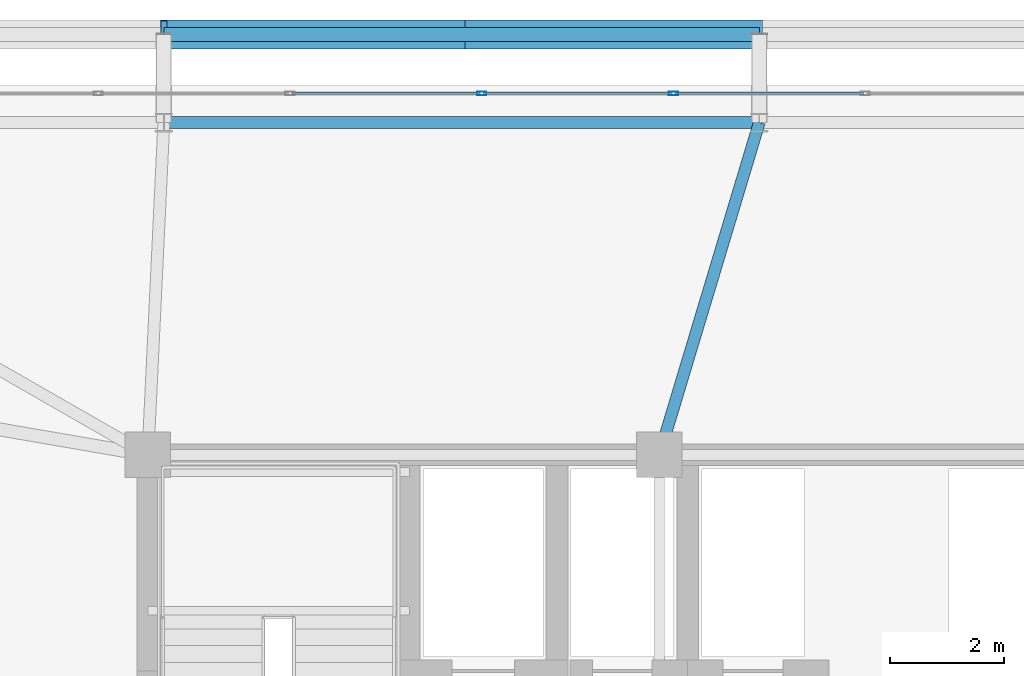
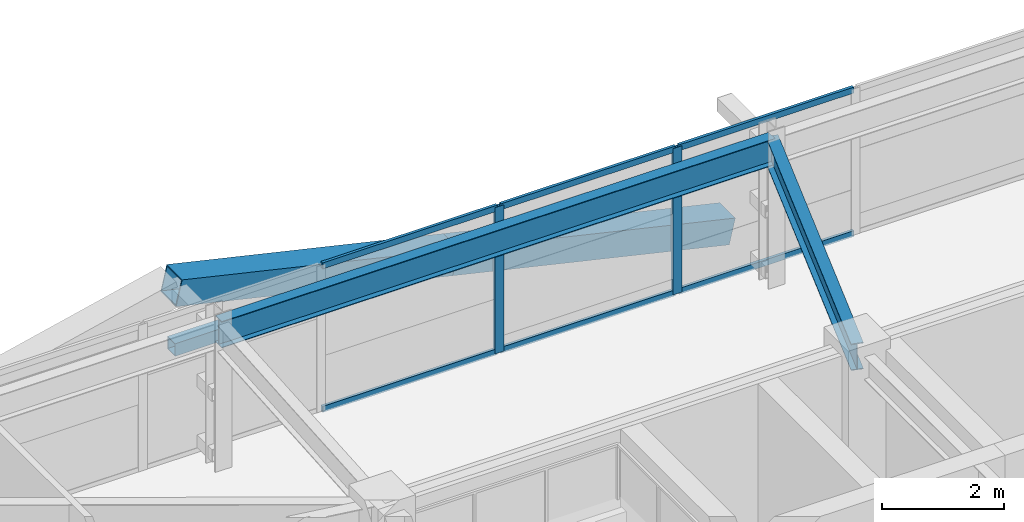
# One storey, part 36 of 59: 11 members, 2 beams, 1 element without a shape of its own.
"""IFC4 building model written with IfcOpenShell, lengths in metres."""

import ifcopenshell
import ifcopenshell.guid

model = None  # the IFC model being written
_history = None  # IfcOwnerHistory: only IFC2X3 demands one
_inside = {}  # id of a spatial element -> (the spatial element, [elements in it])
_under = {}  # id of a project, library or spatial element -> (it, [spatial elements below it])
_declared = {}  # id of a project -> (the project, [libraries it declares])
_typed = {}  # id of a type object -> (the type object, [elements of that type])
_made_of = {}  # id of a material, layer set ... -> (it, [elements and type objects made of it])


def new_model(schema):
    """Start an empty IFC model of exactly this schema.

    Asked for "IFC4X3", IfcOpenShell would pick the latest addendum, in which some entities
    have other attributes; the version numbers below select the first issue.
    IFC2X3 requires an IfcOwnerHistory on every rooted entity: one is made here for all.
    """
    global model, _history
    if schema == "IFC4X3":
        model = ifcopenshell.file(schema_version=(4, 3, 0, 0))
    else:
        model = ifcopenshell.file(schema=schema)
    _inside.clear()
    _under.clear()
    _declared.clear()
    _typed.clear()
    _made_of.clear()
    _history = None
    if model.schema == "IFC2X3":
        org = make("IfcOrganization", Name="unknown")
        user = make(
            "IfcPersonAndOrganization",
            ThePerson=make("IfcPerson", FamilyName="unknown"),
            TheOrganization=org,
        )
        app = make(
            "IfcApplication",
            ApplicationDeveloper=org,
            Version="unknown",
            ApplicationFullName="unknown",
            ApplicationIdentifier="unknown",
        )
        _history = make(
            "IfcOwnerHistory",
            OwningUser=user,
            OwningApplication=app,
            ChangeAction="ADDED",
            CreationDate=0,
        )
    return model


def make(cls, **values):
    """One entity of the class cls with the attributes given. An attribute that is None is left unset."""
    return model.create_entity(
        cls, **{name: value for name, value in values.items() if value is not None}
    )


def rooted(cls, **values):
    """An entity with a GlobalId (a new one), such as an element, a storey or a relation."""
    return make(cls, GlobalId=ifcopenshell.guid.new(), OwnerHistory=_history, **values)


def si_unit(unit_type, name, prefix=None):
    """IfcSIUnit, for example si_unit("LENGTHUNIT", "METRE", prefix="MILLI")."""
    return make("IfcSIUnit", UnitType=unit_type, Prefix=prefix, Name=name)


def assignment(units):
    """IfcUnitAssignment: the units of a project."""
    return None if units is None else make("IfcUnitAssignment", Units=units)


def point(xyz):
    """IfcCartesianPoint."""
    return None if xyz is None else make("IfcCartesianPoint", Coordinates=xyz)


def direction(xyz):
    """IfcDirection."""
    return None if xyz is None else make("IfcDirection", DirectionRatios=xyz)


def frame(location, z_axis=None, x_axis=None):
    """IfcAxis2Placement3D, a coordinate frame: its origin and axes. An axis left out is left unset."""
    return make(
        "IfcAxis2Placement3D",
        Location=point(location),
        Axis=direction(z_axis),
        RefDirection=direction(x_axis),
    )


def frame_2d(location, x_axis=None):
    """IfcAxis2Placement2D, a coordinate frame in the plane: its origin and x axis."""
    return make(
        "IfcAxis2Placement2D", Location=point(location), RefDirection=direction(x_axis)
    )


def origin():
    """The frame at (0, 0, 0) with its axes left unset."""
    return frame((0.0, 0.0, 0.0))


def origin_2d():
    """The frame at (0, 0) in the plane with its x axis left unset."""
    return frame_2d((0.0, 0.0))


def place(relative_to, where):
    """IfcLocalPlacement: puts the frame where relative to a parent placement (None: the world)."""
    return make(
        "IfcLocalPlacement", PlacementRelTo=relative_to, RelativePlacement=where
    )


def context(
    kind, dimensions, precision=None, world=None, true_north=None, identifier=None
):
    """IfcGeometricRepresentationContext, for example the 3D "Model" context."""
    return make(
        "IfcGeometricRepresentationContext",
        ContextIdentifier=identifier,
        ContextType=kind,
        CoordinateSpaceDimension=dimensions,
        Precision=precision,
        WorldCoordinateSystem=world,
        TrueNorth=true_north,
    )


def subcontext(parent, identifier, kind, view, scale=None):
    """IfcGeometricRepresentationSubContext, for example "Body" below "Model"."""
    return make(
        "IfcGeometricRepresentationSubContext",
        ContextIdentifier=identifier,
        ContextType=kind,
        ParentContext=parent,
        TargetScale=scale,
        TargetView=view,
    )


def project(units=None, contexts=None):
    """IfcProject with its units and contexts."""
    return rooted(
        "IfcProject",
        Name="project",
        RepresentationContexts=contexts,
        UnitsInContext=assignment(units),
    )


def spatial(cls, under=None, at=None, **own):
    """A site, building, storey or space (cls), placed at a placement, below another one or the project."""
    s = rooted(cls, ObjectPlacement=at, **own)
    if under is not None:
        _under.setdefault(under.id(), (under, []))[1].append(s)
    return s


def profile(cls, at=None, kind="AREA", **sizes):
    """A parametric profile (cls). Its sizes go by their IFC names, for example OverallWidth=200.0."""
    return make(cls, ProfileType=kind, Position=at, **sizes)


def hollow_rectangle(**sizes):
    """IfcRectangleHollowProfileDef."""
    return profile("IfcRectangleHollowProfileDef", **sizes)


def i_section(**sizes):
    """IfcIShapeProfileDef."""
    return profile("IfcIShapeProfileDef", **sizes)


def extrude(swept, where, along, depth):
    """IfcExtrudedAreaSolid: the profile swept, set in the frame where, extruded along a direction by depth."""
    return make(
        "IfcExtrudedAreaSolid",
        SweptArea=swept,
        Position=where,
        ExtrudedDirection=direction(along),
        Depth=depth,
    )


def shape(context_of_items, identifier, shape_type, items):
    """IfcShapeRepresentation: the items that make up one representation, for example the "Body"."""
    return make(
        "IfcShapeRepresentation",
        ContextOfItems=context_of_items,
        RepresentationIdentifier=identifier,
        RepresentationType=shape_type,
        Items=items,
    )


def source(mapping_origin, context_of_items, identifier, shape_type, items):
    """IfcRepresentationMap: a shape defined once, which mapped items show again and again."""
    return make(
        "IfcRepresentationMap",
        MappingOrigin=mapping_origin,
        MappedRepresentation=shape(context_of_items, identifier, shape_type, items),
    )


def transform(
    local_origin,
    x_axis=None,
    y_axis=None,
    z_axis=None,
    scale=None,
    scale2=None,
    scale3=None,
    uniform=True,
):
    """IfcCartesianTransformationOperator3D, or its non-uniform kind. x_axis, y_axis, z_axis: its Axis1, 2, 3."""
    if uniform:
        return make(
            "IfcCartesianTransformationOperator3D",
            Axis1=direction(x_axis),
            Axis2=direction(y_axis),
            LocalOrigin=point(local_origin),
            Scale=scale,
            Axis3=direction(z_axis),
        )
    return make(
        "IfcCartesianTransformationOperator3DnonUniform",
        Axis1=direction(x_axis),
        Axis2=direction(y_axis),
        LocalOrigin=point(local_origin),
        Scale=scale,
        Axis3=direction(z_axis),
        Scale2=scale2,
        Scale3=scale3,
    )


def mapped(mapping_source, mapping_target):
    """IfcMappedItem: shows the shape of a source again, moved by a transform."""
    return make(
        "IfcMappedItem", MappingSource=mapping_source, MappingTarget=mapping_target
    )


def material(Name=None, Category=None):
    """IfcMaterial."""
    return make("IfcMaterial", Name=Name, Category=Category)


def layer(
    of_material, thickness, ventilated=None, Name=None, Category=None, Priority=None
):
    """IfcMaterialLayer: one layer of a wall or slab, of a material (None: an air gap)."""
    return make(
        "IfcMaterialLayer",
        Material=of_material,
        LayerThickness=thickness,
        IsVentilated=ventilated,
        Name=Name,
        Category=Category,
        Priority=Priority,
    )


def layer_set(layers, Name=None):
    """IfcMaterialLayerSet."""
    return make("IfcMaterialLayerSet", MaterialLayers=layers, LayerSetName=Name)


def material_profile(
    of_material, cross_section, Name=None, Category=None, Priority=None
):
    """IfcMaterialProfile: a cross section and its material."""
    return make(
        "IfcMaterialProfile",
        Name=Name,
        Material=of_material,
        Profile=cross_section,
        Priority=Priority,
        Category=Category,
    )


def profile_set(profiles, Name=None, composite=None):
    """IfcMaterialProfileSet."""
    return make(
        "IfcMaterialProfileSet",
        Name=Name,
        MaterialProfiles=profiles,
        CompositeProfile=composite,
    )


def made_of(thing, what):
    """Note that an element or type object is made of a material, layer set ...; save() writes the relation."""
    if what is not None:
        _made_of.setdefault(what.id(), (what, []))[1].append(thing)
    return thing


def type_object(cls, material=None, **own):
    """A type object (cls), such as IfcWallType, which elements share."""
    return made_of(rooted(cls, **own), material)


def element(
    cls,
    number,
    at=None,
    inside=None,
    cuts=None,
    type_object=None,
    material=None,
    context=None,
    identifier="Body",
    shape_type=None,
    held_by="IfcProductDefinitionShape",
    body=None,
    shapes=None,
    **own,
):
    """One element of the class cls, such as IfcWall. Its Tag is "e" and its number.

    at: its placement. inside: the storey or other place that contains it. cuts: it is an
    opening in that element (IfcRelVoidsElement). A single representation is given by context,
    identifier, shape_type and body (its items); several are given by shapes. held_by: the class
    of the entity that holds the representations. save() writes the other relations.
    """
    e = rooted(cls, Tag="e%d" % number, ObjectPlacement=at, **own)
    if body is not None:
        shapes = [shape(context, identifier, shape_type, body)]
    if shapes is not None:
        e.Representation = make(held_by, Representations=shapes)
    if inside is not None:
        _inside.setdefault(inside.id(), (inside, []))[1].append(e)
    if cuts is not None:
        rooted(
            "IfcRelVoidsElement", RelatingBuildingElement=cuts, RelatedOpeningElement=e
        )
    if type_object is not None:
        _typed.setdefault(type_object.id(), (type_object, []))[1].append(e)
    return made_of(e, material)


def aggregate(whole, parts):
    """IfcRelAggregates: a whole, such as a stair, and the parts it consists of."""
    return rooted("IfcRelAggregates", RelatingObject=whole, RelatedObjects=parts)


def save(model, path):
    """Write the relations noted so far, then the file.

    IfcRelAggregates (storeys below a building ...), IfcRelContainedInSpatialStructure (elements
    in a storey), IfcRelDefinesByType, IfcRelAssociatesMaterial and IfcRelDeclares: one each for
    every whole, place, type object, material and project.
    """
    for whole, parts in _under.values():
        aggregate(whole, parts)
    for where, things in _inside.values():
        rooted(
            "IfcRelContainedInSpatialStructure",
            RelatedElements=things,
            RelatingStructure=where,
        )
    for kind, things in _typed.values():
        rooted("IfcRelDefinesByType", RelatedObjects=things, RelatingType=kind)
    for what, things in _made_of.values():
        rooted("IfcRelAssociatesMaterial", RelatedObjects=things, RelatingMaterial=what)
    for by, libraries in _declared.values():
        rooted("IfcRelDeclares", RelatingContext=by, RelatedDefinitions=libraries)
    model.write(path)


model = new_model("IFC4")

# Units and contexts
model_context = context("Model", 3, precision=1e-05, world=origin(), true_north=direction((0.0, 1.0)))
body_context = subcontext(model_context, "Body", "Model", "MODEL_VIEW")
ifc_project = project(units=[si_unit("LENGTHUNIT", "METRE"), si_unit("AREAUNIT", "SQUARE_METRE"), si_unit("VOLUMEUNIT", "CUBIC_METRE"), si_unit("PLANEANGLEUNIT", "RADIAN"), si_unit("MASSUNIT", "GRAM", prefix="KILO")], contexts=[model_context])

# Site, building, storey
site_placement = place(None, origin())
site = spatial("IfcSite", under=ifc_project, at=site_placement, CompositionType="ELEMENT")
building_placement = place(site_placement, origin())
building = spatial("IfcBuilding", under=site, at=building_placement, Name="Taldren Reach Tower", CompositionType="ELEMENT")
storey_placement = place(building_placement, frame((0.0, 0.0, 48.300048828125)))
storey = spatial("IfcBuildingStorey", under=building, at=storey_placement, Name="L14", CompositionType="ELEMENT", Elevation=48.300048828125)

# Beams
ifc_material_1 = material(Name="Steel Gr 350 (350PLUS)", Category="steel")
ifc_material_profile_1 = material_profile(ifc_material_1, i_section(OverallWidth=0.208984375, OverallDepth=0.528076171875, WebThickness=0.009521484375, FlangeThickness=0.01318359375, at=origin_2d()), Name="530UB82.0")
ifc_profile_set_1 = profile_set([ifc_material_profile_1], Name="Steel Gr 350 (350PLUS)")
beam_type_1 = type_object("IfcBeamType", Name="SP-UB530B", PredefinedType="SPANDREL", material=ifc_profile_set_1)
shared_shape_1 = source(origin(), body_context, "Body", "SweptSolid", [
    extrude(i_section(OverallWidth=0.208984375, OverallDepth=0.528076171875, WebThickness=0.009521484375, FlangeThickness=0.01318359375, at=origin_2d()), origin(), (0.0, 0.0, 1.0), 10.47998046875),
])
beam_1_placement = place(storey_placement, frame((29.760009765625, 37.85009765625, 2.666015625), z_axis=(-1.0, 0.0, 0.0), x_axis=(0.0, -1.0, 0.0)))
element("IfcBeam", 1, at=beam_1_placement, inside=storey, type_object=beam_type_1, Name="Perimeter spandrel B1 N3-N2 L14", PredefinedType="SPANDREL", context=body_context, shape_type="MappedRepresentation", body=[
    mapped(shared_shape_1, transform((0.0, 0.0, 0.0), scale=1.0)),
])
ifc_material_profile_2 = material_profile(ifc_material_1, i_section(OverallWidth=0.208984375, OverallDepth=0.532958984375, WebThickness=0.01025390625, FlangeThickness=0.015625, at=origin_2d()), Name="530UB92.4")
ifc_profile_set_2 = profile_set([ifc_material_profile_2], Name="Steel Gr 350 (350PLUS)")
beam_type_2 = type_object("IfcBeamType", Name="BM-UB530A", PredefinedType="BEAM", material=ifc_profile_set_2)
shared_shape_2 = source(origin(), body_context, "Body", "SweptSolid", [
    extrude(i_section(OverallWidth=0.208984375, OverallDepth=0.532958984375, WebThickness=0.01025390625, FlangeThickness=0.015625, at=origin_2d()), origin(), (0.0, 0.0, 1.0), 6.109130859375),
])
beam_2_placement = place(storey_placement, frame((28.0, 32.0, 2.663330078125), z_axis=(0.288095735745, 0.957601611864, 0.0), x_axis=(-0.957601611864, 0.288095735745, 0.0)))
element("IfcBeam", 2, at=beam_2_placement, inside=storey, type_object=beam_type_2, Name="Primary floor girder B1-N3 L14", PredefinedType="BEAM", context=body_context, shape_type="MappedRepresentation", body=[
    mapped(shared_shape_2, transform((0.0, 0.0, 0.0), scale=1.0)),
])

# Members
ifc_material_2 = material(Name="Steel Gr 450 (C450L0)", Category="steel")
ifc_material_profile_3 = material_profile(ifc_material_2, hollow_rectangle(XDim=0.510009765625, YDim=0.510009765625, WallThickness=0.02001953125, at=origin_2d()), Name="510x510x20.0SHS")
ifc_profile_set_3 = profile_set([ifc_material_profile_3], Name="Steel Gr 450 (C450L0)")
member_type_1 = type_object("IfcMemberType", Name="MB-EXO508", PredefinedType="BRACE", material=ifc_profile_set_3)
shared_shape_3 = source(origin(), body_context, "Body", "SweptSolid", [
    extrude(hollow_rectangle(XDim=0.510009765625, YDim=0.510009765625, WallThickness=0.02001953125, at=origin_2d()), origin(), (0.0, 0.0, 1.0), 5.37890625),
])
for number, where, z_axis, x_axis, name in (
    (3, (29.760009765625, 39.39990234375, 0.219970703125), (-0.97415197996, 0.0, 0.225893603143), (0.0, -1.0, 0.0), "Exoskeleton Diagrid Brace B1-N2 L14"),
    (4, (24.52001953125, 39.39990234375, 1.43505859375), (-0.974161966843, 0.0, 0.225850531007), (0.0, -1.0, 0.0), "Exoskeleton Diagrid Brace B1-N2 L14"),
):
    element("IfcMember", number, at=place(storey_placement, frame(where, z_axis=z_axis, x_axis=x_axis)), inside=storey, type_object=member_type_1, Name=name, PredefinedType="BRACE", context=body_context, shape_type="MappedRepresentation", body=[
        mapped(shared_shape_3, transform((0.0, 0.0, 0.0), scale=1.0)),
    ])
ifc_material_3 = material(Name="Steel Gr 350 (C350L0)", Category="steel")
ifc_material_profile_4 = material_profile(ifc_material_3, hollow_rectangle(XDim=0.25, YDim=0.25, WallThickness=0.010009765625, at=origin_2d()), Name="250x250x10.0SHS")
ifc_profile_set_4 = profile_set([ifc_material_profile_4], Name="Steel Gr 350 (C350L0)")
member_type_2 = type_object("IfcMemberType", Name="MB-POST250", PredefinedType="POST", material=ifc_profile_set_4)
shared_shape_4 = source(origin(), body_context, "Body", "SweptSolid", [
    extrude(hollow_rectangle(XDim=0.25, YDim=0.25, WallThickness=0.010009765625, at=origin_2d()), origin(), (0.0, 0.0, 1.0), 10.47998046875),
])
member_1_placement = place(storey_placement, frame((19.280029296875, 39.39990234375, 1.43505859375), z_axis=(1.0, 0.0, 0.0), x_axis=(0.0, 1.0, 0.0)))
element("IfcMember", 5, at=member_1_placement, inside=storey, type_object=member_type_2, Name="Exoskeleton mid-height ring chord B1-N2 L14", PredefinedType="POST", context=body_context, shape_type="MappedRepresentation", body=[
    mapped(shared_shape_4, transform((0.0, 0.0, 0.0), scale=1.0)),
])

# Curtain wall, members
ifc_material_4 = material(Name="Aluminium and Low-E Glass Unitised System", Category="aluminium")
ifc_layer = layer(ifc_material_4, 0.159912109375)
ifc_layer_set = layer_set([ifc_layer], Name="Aluminium and Low-E Glass Unitised System")
curtain_wall_type = type_object("IfcCurtainWallType", Name="CW-SYS-2", PredefinedType="NOTDEFINED", material=ifc_layer_set)
curtain_wall_placement = place(storey_placement, origin())
curtain_wall = element("IfcCurtainWall", 6, at=curtain_wall_placement, inside=storey, type_object=curtain_wall_type, Name="Unitised curtain wall CW-L14-N", PredefinedType="NOTDEFINED")
ifc_material_5 = material(Name="Anodised Aluminium 6063-T6", Category="aluminium")
ifc_material_profile_5 = material_profile(ifc_material_5, hollow_rectangle(XDim=0.06494140625, YDim=0.1650390625, WallThickness=0.00390625, at=origin_2d()), Name="ALU-165x65x4RHS")
ifc_profile_set_5 = profile_set([ifc_material_profile_5], Name="Anodised Aluminium 6063-T6")
member_type_3 = type_object("IfcMemberType", Name="CW-MUL-165", PredefinedType="MULLION", material=ifc_profile_set_5)
shared_shape_5 = source(origin(), body_context, "Body", "SweptSolid", [
    extrude(hollow_rectangle(XDim=0.06494140625, YDim=0.1650390625, WallThickness=0.00390625, at=origin_2d()), origin(), (0.0, 0.0, 1.0), 2.929931640625),
])
member_2_placement = place(storey_placement, frame((28.25, 38.360107421875, 0.0), z_axis=(0.0, 0.0, 1.0), x_axis=(0.0, -1.0, 0.0)))
member_2 = element("IfcMember", 7, at=member_2_placement, type_object=member_type_3, Name="CW-2 mullion 11", PredefinedType="MULLION", context=body_context, shape_type="MappedRepresentation", body=[
    mapped(shared_shape_5, transform((0.0, 0.0, 0.0), scale=1.0)),
])
member_3_placement = place(storey_placement, frame((24.875, 38.360107421875, 0.0), z_axis=(0.0, 0.0, 1.0), x_axis=(0.0, -1.0, 0.0)))
member_3 = element("IfcMember", 8, at=member_3_placement, type_object=member_type_3, Name="CW-2 mullion 12", PredefinedType="MULLION", context=body_context, shape_type="MappedRepresentation", body=[
    mapped(shared_shape_5, transform((0.0, 0.0, 0.0), scale=1.0)),
])
ifc_material_profile_6 = material_profile(ifc_material_5, hollow_rectangle(XDim=0.054931640625, YDim=0.1201171875, WallThickness=0.0029296875, at=origin_2d()), Name="ALU-120x55x3RHS")
ifc_profile_set_6 = profile_set([ifc_material_profile_6], Name="Anodised Aluminium 6063-T6")
member_type_4 = type_object("IfcMemberType", Name="CW-TRN-135", PredefinedType="USERDEFINED", material=ifc_profile_set_6)
shared_shape_6 = source(origin(), body_context, "Body", "SweptSolid", [
    extrude(hollow_rectangle(XDim=0.054931640625, YDim=0.1201171875, WallThickness=0.0029296875, at=origin_2d()), origin(), (0.0, 0.0, 1.0), 3.31005859375),
])
member_4_placement = place(storey_placement, frame((31.592529296875, 38.360107421875, 0.02734375), z_axis=(-1.0, 0.0, 0.0), x_axis=(0.0, -1.0, 0.0)))
member_4 = element("IfcMember", 9, at=member_4_placement, type_object=member_type_4, Name="CW-2 transom 10.1", ObjectType="TRANSOM", PredefinedType="USERDEFINED", context=body_context, shape_type="MappedRepresentation", body=[
    mapped(shared_shape_6, transform((0.0, 0.0, 0.0), scale=1.0)),
])
member_5_placement = place(storey_placement, frame((31.592529296875, 38.360107421875, 2.90234375), z_axis=(-1.0, 0.0, 0.0), x_axis=(0.0, -1.0, 0.0)))
member_5 = element("IfcMember", 10, at=member_5_placement, type_object=member_type_4, Name="CW-2 transom 10.2", ObjectType="TRANSOM", PredefinedType="USERDEFINED", context=body_context, shape_type="MappedRepresentation", body=[
    mapped(shared_shape_6, transform((0.0, 0.0, 0.0), scale=1.0)),
])
member_6_placement = place(storey_placement, frame((28.217529296875, 38.360107421875, 0.02734375), z_axis=(-1.0, 0.0, 0.0), x_axis=(0.0, -1.0, 0.0)))
member_6 = element("IfcMember", 11, at=member_6_placement, type_object=member_type_4, Name="CW-2 transom 11.1", ObjectType="TRANSOM", PredefinedType="USERDEFINED", context=body_context, shape_type="MappedRepresentation", body=[
    mapped(shared_shape_6, transform((0.0, 0.0, 0.0), scale=1.0)),
])
member_7_placement = place(storey_placement, frame((28.217529296875, 38.360107421875, 2.90234375), z_axis=(-1.0, 0.0, 0.0), x_axis=(0.0, -1.0, 0.0)))
member_7 = element("IfcMember", 12, at=member_7_placement, type_object=member_type_4, Name="CW-2 transom 11.2", ObjectType="TRANSOM", PredefinedType="USERDEFINED", context=body_context, shape_type="MappedRepresentation", body=[
    mapped(shared_shape_6, transform((0.0, 0.0, 0.0), scale=1.0)),
])
member_8_placement = place(storey_placement, frame((24.842529296875, 38.360107421875, 0.02734375), z_axis=(-1.0, 0.0, 0.0), x_axis=(0.0, -1.0, 0.0)))
member_8 = element("IfcMember", 13, at=member_8_placement, type_object=member_type_4, Name="CW-2 transom 12.1", ObjectType="TRANSOM", PredefinedType="USERDEFINED", context=body_context, shape_type="MappedRepresentation", body=[
    mapped(shared_shape_6, transform((0.0, 0.0, 0.0), scale=1.0)),
])
member_9_placement = place(storey_placement, frame((24.842529296875, 38.360107421875, 2.90234375), z_axis=(-1.0, 0.0, 0.0), x_axis=(0.0, -1.0, 0.0)))
member_9 = element("IfcMember", 14, at=member_9_placement, type_object=member_type_4, Name="CW-2 transom 12.2", ObjectType="TRANSOM", PredefinedType="USERDEFINED", context=body_context, shape_type="MappedRepresentation", body=[
    mapped(shared_shape_6, transform((0.0, 0.0, 0.0), scale=1.0)),
])
aggregate(curtain_wall, [member_2, member_3, member_4, member_5, member_6, member_7, member_8, member_9])

save(model, "model.ifc")
